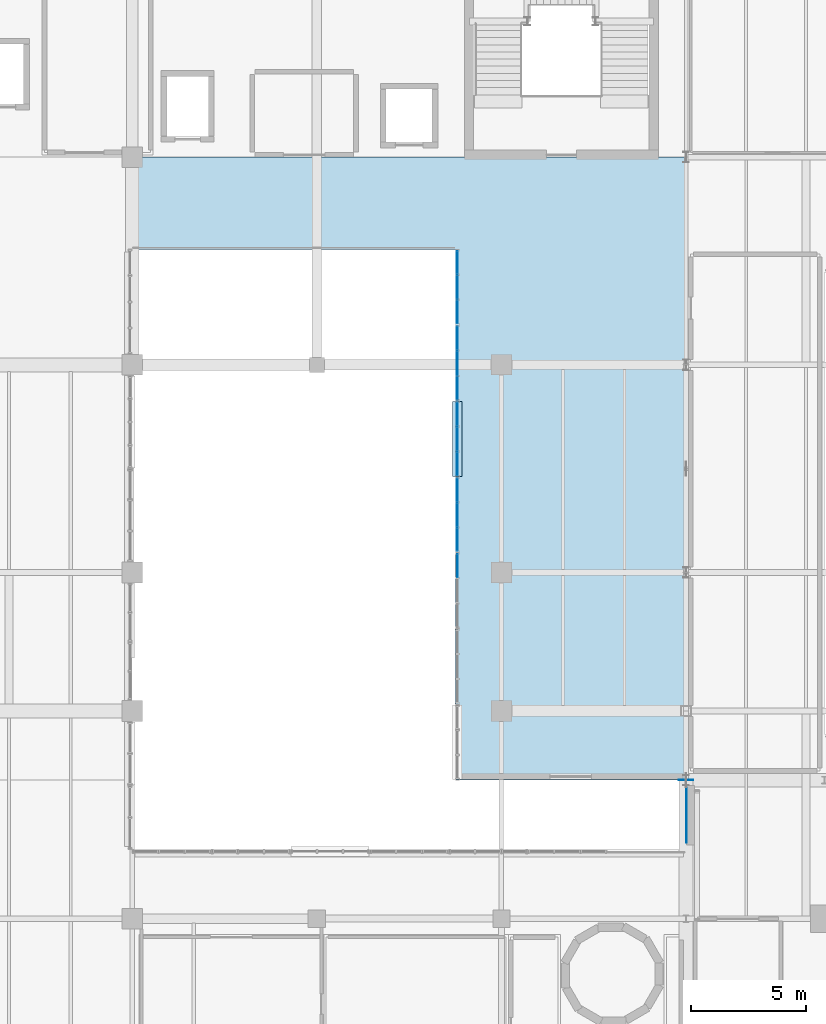
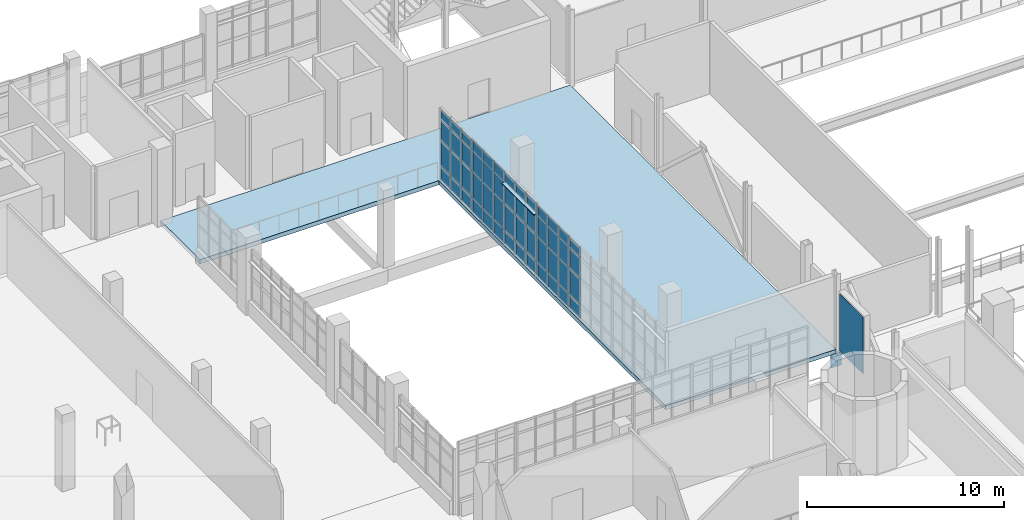
# One storey, part 70 of 102: 55 plates, 1 slab, 5 elements without a shape of their own.
"""IFC4 building model written with IfcOpenShell, lengths in metres."""

from ifc_helpers import new_model, si_unit, derived_unit, direction, frame, origin, origin_2d, place, context, subcontext, project, spatial, polyline, rectangle, outline, extrude, material, layer, layer_set, type_object, element, aggregate, save


model = new_model("IFC4")

# Units and contexts
model_context = context("Model", 3, precision=1e-05, world=origin(), true_north=direction((0.0, 1.0)))
body_context = subcontext(model_context, "Body", "Model", "MODEL_VIEW")
ifc_project = project(units=[si_unit("LENGTHUNIT", "METRE"), si_unit("AREAUNIT", "SQUARE_METRE"), si_unit("VOLUMEUNIT", "CUBIC_METRE"), si_unit("PLANEANGLEUNIT", "RADIAN"), si_unit("MASSUNIT", "GRAM", prefix="KILO"), derived_unit("THERMALTRANSMITTANCEUNIT", [(si_unit("POWERUNIT", "WATT"), 1), (si_unit("LENGTHUNIT", "METRE"), -2), (si_unit("THERMODYNAMICTEMPERATUREUNIT", "KELVIN"), -1)])], contexts=[model_context])

# Site, building, storey
site_placement = place(None, origin())
site = spatial("IfcSite", under=ifc_project, at=site_placement, CompositionType="ELEMENT")
building_placement = place(site_placement, origin())
building = spatial("IfcBuilding", under=site, at=building_placement, Name="Nallur Shell Playhouse", CompositionType="ELEMENT")
storey_placement = place(building_placement, frame((0.0, 0.0, 15.0)))
storey = spatial("IfcBuildingStorey", under=building, at=storey_placement, Name="L04", CompositionType="ELEMENT", Elevation=15.0)

# Plate
ifc_material_1 = material(Name="Steel E350", Category="steel")
ifc_layer_1 = layer(ifc_material_1, 0.02001953125)
ifc_layer_set_1 = layer_set([ifc_layer_1], Name="Steel E350")
plate_type_1 = type_object("IfcPlateType", Name="PT-ENDCAP-20", PredefinedType="SHEET", material=ifc_layer_set_1)
plate_1_placement = place(storey_placement, frame((64.0, 47.010009765625, -1.06982421875), z_axis=(0.0, 0.0, 1.0), x_axis=(1.0, 0.0, 0.0)))
element("IfcPlate", 1, at=plate_1_placement, inside=storey, type_object=plate_type_1, Name="Hollow end cap EC-GB-L04-WB", PredefinedType="SHEET", context=body_context, shape_type="SweptSolid", body=[
    extrude(rectangle(XDim=0.6201171875, YDim=0.02001953125, at=origin_2d()), origin(), (0.0, 0.0, 1.0), 0.820068359375),
])

# Curtain wall, plates
ifc_material_2 = material(Name="Anodised Aluminium Double-Glazed Facade System", Category="aluminium")
ifc_layer_2 = layer(ifc_material_2, 0.16796875)
ifc_layer_set_2 = layer_set([ifc_layer_2], Name="Anodised Aluminium Double-Glazed Facade System")
curtain_wall_type_1 = type_object("IfcCurtainWallType", Name="CW-UNIT-26", PredefinedType="NOTDEFINED", material=ifc_layer_set_2)
curtain_wall_1_placement = place(storey_placement, origin())
curtain_wall_1 = element("IfcCurtainWall", 2, at=curtain_wall_1_placement, inside=storey, type_object=curtain_wall_type_1, Name="Unitised curtain wall CW-154 (L04)", PredefinedType="NOTDEFINED")
ifc_material_3 = material(Name="Solar-Control Low-E Laminated Insulating Glass", Category="glass")
ifc_layer_3 = layer(ifc_material_3, 0.028076171875)
ifc_layer_set_3 = layer_set([ifc_layer_3], Name="Solar-Control Low-E Laminated Insulating Glass")
plate_type_2 = type_object("IfcPlateType", Name="PT-GLZ-02", PredefinedType="CURTAIN_PANEL", material=ifc_layer_set_3)
plate_2_placement = place(storey_placement, frame((54.090087890625, 56.289794921875, 0.092041015625), z_axis=(0.0, 0.0, 1.0), x_axis=(0.0, 1.0, 0.0)))
plate_2 = element("IfcPlate", 3, at=plate_2_placement, type_object=plate_type_2, Name="CW-26 panel 3.1", PredefinedType="CURTAIN_PANEL", context=body_context, shape_type="SweptSolid", body=[
    extrude(rectangle(XDim=1.010498046875, YDim=0.028076171875, at=origin_2d()), origin(), (0.0, 0.0, 1.0), 0.76611328125),
])
plate_3_placement = place(storey_placement, frame((54.090087890625, 56.289794921875, 0.94189453125), z_axis=(0.0, 0.0, 1.0), x_axis=(0.0, 1.0, 0.0)))
plate_3 = element("IfcPlate", 4, at=plate_3_placement, type_object=plate_type_2, Name="CW-26 panel 3.2", PredefinedType="CURTAIN_PANEL", context=body_context, shape_type="SweptSolid", body=[
    extrude(rectangle(XDim=1.010498046875, YDim=0.028076171875, at=origin_2d()), origin(), (0.0, 0.0, 1.0), 1.5419921875),
])
plate_4_placement = place(storey_placement, frame((54.090087890625, 56.289794921875, 2.56787109375), z_axis=(0.0, 0.0, 1.0), x_axis=(0.0, 1.0, 0.0)))
plate_4 = element("IfcPlate", 5, at=plate_4_placement, type_object=plate_type_2, Name="CW-26 panel 3.3", PredefinedType="CURTAIN_PANEL", context=body_context, shape_type="SweptSolid", body=[
    extrude(rectangle(XDim=1.010498046875, YDim=0.028076171875, at=origin_2d()), origin(), (0.0, 0.0, 1.0), 1.219970703125),
])
plate_5_placement = place(storey_placement, frame((54.090087890625, 56.289794921875, 3.8720703125), z_axis=(0.0, 0.0, 1.0), x_axis=(0.0, 1.0, 0.0)))
plate_5 = element("IfcPlate", 6, at=plate_5_placement, type_object=plate_type_2, Name="CW-26 panel 3.4", PredefinedType="CURTAIN_PANEL", context=body_context, shape_type="SweptSolid", body=[
    extrude(rectangle(XDim=1.010498046875, YDim=0.028076171875, at=origin_2d()), origin(), (0.0, 0.0, 1.0), 0.5458984375),
])
aggregate(curtain_wall_1, [plate_2, plate_3, plate_4, plate_5])

ifc_layer_4 = layer(ifc_material_2, 0.172119140625)
ifc_layer_set_4 = layer_set([ifc_layer_4], Name="Anodised Aluminium Double-Glazed Facade System")
curtain_wall_type_2 = type_object("IfcCurtainWallType", Name="CW-UNIT-27", PredefinedType="NOTDEFINED", material=ifc_layer_set_4)
curtain_wall_2_placement = place(storey_placement, origin())
curtain_wall_2 = element("IfcCurtainWall", 7, at=curtain_wall_2_placement, inside=storey, type_object=curtain_wall_type_2, Name="Unitised curtain wall CW-155 (L04)", PredefinedType="NOTDEFINED")
ifc_layer_5 = layer(ifc_material_3, 0.030029296875)
ifc_layer_set_5 = layer_set([ifc_layer_5], Name="Solar-Control Low-E Laminated Insulating Glass")
plate_type_3 = type_object("IfcPlateType", Name="PT-GLZ-03", PredefinedType="CURTAIN_PANEL", material=ifc_layer_set_5)
plate_6_placement = place(storey_placement, frame((54.090087890625, 57.427978515625, 0.05712890625), z_axis=(0.0, 0.0, 1.0), x_axis=(0.0, 1.0, 0.0)))
plate_6 = element("IfcPlate", 8, at=plate_6_placement, type_object=plate_type_3, Name="CW-27 panel 1.1", PredefinedType="CURTAIN_PANEL", context=body_context, shape_type="SweptSolid", body=[
    extrude(rectangle(XDim=0.988037109375, YDim=0.030029296875, at=origin_2d()), origin(), (0.0, 0.0, 1.0), 0.818603515625),
])
plate_7_placement = place(storey_placement, frame((54.090087890625, 57.427978515625, 0.924560546875), z_axis=(0.0, 0.0, 1.0), x_axis=(0.0, 1.0, 0.0)))
plate_7 = element("IfcPlate", 9, at=plate_7_placement, type_object=plate_type_3, Name="CW-27 panel 1.2", PredefinedType="CURTAIN_PANEL", context=body_context, shape_type="SweptSolid", body=[
    extrude(rectangle(XDim=0.988037109375, YDim=0.030029296875, at=origin_2d()), origin(), (0.0, 0.0, 1.0), 1.56494140625),
])
plate_8_placement = place(storey_placement, frame((54.090087890625, 57.427978515625, 2.53857421875), z_axis=(0.0, 0.0, 1.0), x_axis=(0.0, 1.0, 0.0)))
plate_8 = element("IfcPlate", 10, at=plate_8_placement, type_object=plate_type_3, Name="CW-27 panel 1.3", PredefinedType="CURTAIN_PANEL", context=body_context, shape_type="SweptSolid", body=[
    extrude(rectangle(XDim=0.988037109375, YDim=0.030029296875, at=origin_2d()), origin(), (0.0, 0.0, 1.0), 1.2470703125),
])
plate_9_placement = place(storey_placement, frame((54.090087890625, 57.427978515625, 3.83447265625), z_axis=(0.0, 0.0, 1.0), x_axis=(0.0, 1.0, 0.0)))
plate_9 = element("IfcPlate", 11, at=plate_9_placement, type_object=plate_type_3, Name="CW-27 panel 1.4", PredefinedType="CURTAIN_PANEL", context=body_context, shape_type="SweptSolid", body=[
    extrude(rectangle(XDim=0.988037109375, YDim=0.030029296875, at=origin_2d()), origin(), (0.0, 0.0, 1.0), 0.598388671875),
])
plate_10_placement = place(storey_placement, frame((54.090087890625, 58.5, 0.05712890625), z_axis=(0.0, 0.0, 1.0), x_axis=(0.0, 1.0, 0.0)))
plate_10 = element("IfcPlate", 12, at=plate_10_placement, type_object=plate_type_3, Name="CW-27 panel 2.1", PredefinedType="CURTAIN_PANEL", context=body_context, shape_type="SweptSolid", body=[
    extrude(rectangle(XDim=1.02783203125, YDim=0.030029296875, at=origin_2d()), origin(), (0.0, 0.0, 1.0), 0.818603515625),
])
plate_11_placement = place(storey_placement, frame((54.090087890625, 58.5, 0.924560546875), z_axis=(0.0, 0.0, 1.0), x_axis=(0.0, 1.0, 0.0)))
plate_11 = element("IfcPlate", 13, at=plate_11_placement, type_object=plate_type_3, Name="CW-27 panel 2.2", PredefinedType="CURTAIN_PANEL", context=body_context, shape_type="SweptSolid", body=[
    extrude(rectangle(XDim=1.02783203125, YDim=0.030029296875, at=origin_2d()), origin(), (0.0, 0.0, 1.0), 1.56494140625),
])
plate_12_placement = place(storey_placement, frame((54.090087890625, 58.5, 2.53857421875), z_axis=(0.0, 0.0, 1.0), x_axis=(0.0, 1.0, 0.0)))
plate_12 = element("IfcPlate", 14, at=plate_12_placement, type_object=plate_type_3, Name="CW-27 panel 2.3", PredefinedType="CURTAIN_PANEL", context=body_context, shape_type="SweptSolid", body=[
    extrude(rectangle(XDim=1.02783203125, YDim=0.030029296875, at=origin_2d()), origin(), (0.0, 0.0, 1.0), 1.2470703125),
])
plate_13_placement = place(storey_placement, frame((54.090087890625, 58.5, 3.83447265625), z_axis=(0.0, 0.0, 1.0), x_axis=(0.0, 1.0, 0.0)))
plate_13 = element("IfcPlate", 15, at=plate_13_placement, type_object=plate_type_3, Name="CW-27 panel 2.4", PredefinedType="CURTAIN_PANEL", context=body_context, shape_type="SweptSolid", body=[
    extrude(rectangle(XDim=1.02783203125, YDim=0.030029296875, at=origin_2d()), origin(), (0.0, 0.0, 1.0), 0.598388671875),
])
plate_14_placement = place(storey_placement, frame((54.090087890625, 59.572021484375, 0.05712890625), z_axis=(0.0, 0.0, 1.0), x_axis=(0.0, 1.0, 0.0)))
plate_14 = element("IfcPlate", 16, at=plate_14_placement, type_object=plate_type_3, Name="CW-27 panel 3.1", PredefinedType="CURTAIN_PANEL", context=body_context, shape_type="SweptSolid", body=[
    extrude(rectangle(XDim=0.988037109375, YDim=0.030029296875, at=origin_2d()), origin(), (0.0, 0.0, 1.0), 0.818603515625),
])
plate_15_placement = place(storey_placement, frame((54.090087890625, 59.572021484375, 0.924560546875), z_axis=(0.0, 0.0, 1.0), x_axis=(0.0, 1.0, 0.0)))
plate_15 = element("IfcPlate", 17, at=plate_15_placement, type_object=plate_type_3, Name="CW-27 panel 3.2", PredefinedType="CURTAIN_PANEL", context=body_context, shape_type="SweptSolid", body=[
    extrude(rectangle(XDim=0.988037109375, YDim=0.030029296875, at=origin_2d()), origin(), (0.0, 0.0, 1.0), 1.56494140625),
])
plate_16_placement = place(storey_placement, frame((54.090087890625, 59.572021484375, 2.53857421875), z_axis=(0.0, 0.0, 1.0), x_axis=(0.0, 1.0, 0.0)))
plate_16 = element("IfcPlate", 18, at=plate_16_placement, type_object=plate_type_3, Name="CW-27 panel 3.3", PredefinedType="CURTAIN_PANEL", context=body_context, shape_type="SweptSolid", body=[
    extrude(rectangle(XDim=0.988037109375, YDim=0.030029296875, at=origin_2d()), origin(), (0.0, 0.0, 1.0), 1.2470703125),
])
plate_17_placement = place(storey_placement, frame((54.090087890625, 59.572021484375, 3.83447265625), z_axis=(0.0, 0.0, 1.0), x_axis=(0.0, 1.0, 0.0)))
plate_17 = element("IfcPlate", 19, at=plate_17_placement, type_object=plate_type_3, Name="CW-27 panel 3.4", PredefinedType="CURTAIN_PANEL", context=body_context, shape_type="SweptSolid", body=[
    extrude(rectangle(XDim=0.988037109375, YDim=0.030029296875, at=origin_2d()), origin(), (0.0, 0.0, 1.0), 0.598388671875),
])
aggregate(curtain_wall_2, [plate_6, plate_7, plate_8, plate_9, plate_10, plate_11, plate_12, plate_13, plate_14, plate_15, plate_16, plate_17])

ifc_layer_6 = layer(ifc_material_2, 0.176025390625)
ifc_layer_set_6 = layer_set([ifc_layer_6], Name="Anodised Aluminium Double-Glazed Facade System")
curtain_wall_type_3 = type_object("IfcCurtainWallType", Name="CW-UNIT-28", PredefinedType="NOTDEFINED", material=ifc_layer_set_6)
curtain_wall_3_placement = place(storey_placement, origin())
curtain_wall_3 = element("IfcCurtainWall", 20, at=curtain_wall_3_placement, inside=storey, type_object=curtain_wall_type_3, Name="Unitised curtain wall CW-156 (L04)", PredefinedType="NOTDEFINED")
ifc_layer_7 = layer(ifc_material_3, 0.031982421875)
ifc_layer_set_7 = layer_set([ifc_layer_7], Name="Solar-Control Low-E Laminated Insulating Glass")
plate_type_4 = type_object("IfcPlateType", Name="PT-GLZ-04", PredefinedType="CURTAIN_PANEL", material=ifc_layer_set_7)
plate_18_placement = place(storey_placement, frame((54.090087890625, 60.712646484375, 0.092041015625), z_axis=(0.0, 0.0, 1.0), x_axis=(0.0, 1.0, 0.0)))
plate_18 = element("IfcPlate", 21, at=plate_18_placement, type_object=plate_type_4, Name="CW-28 panel 1.1", PredefinedType="CURTAIN_PANEL", context=body_context, shape_type="SweptSolid", body=[
    extrude(rectangle(XDim=0.995361328125, YDim=0.031982421875, at=origin_2d()), origin(), (0.0, 0.0, 1.0), 0.76611328125),
])
plate_19_placement = place(storey_placement, frame((54.090087890625, 60.712646484375, 0.942138671875), z_axis=(0.0, 0.0, 1.0), x_axis=(0.0, 1.0, 0.0)))
plate_19 = element("IfcPlate", 22, at=plate_19_placement, type_object=plate_type_4, Name="CW-28 panel 1.2", PredefinedType="CURTAIN_PANEL", context=body_context, shape_type="SweptSolid", body=[
    extrude(rectangle(XDim=0.995361328125, YDim=0.031982421875, at=origin_2d()), origin(), (0.0, 0.0, 1.0), 1.56396484375),
])
plate_20_placement = place(storey_placement, frame((54.090087890625, 60.712646484375, 2.58984375), z_axis=(0.0, 0.0, 1.0), x_axis=(0.0, 1.0, 0.0)))
plate_20 = element("IfcPlate", 23, at=plate_20_placement, type_object=plate_type_4, Name="CW-28 panel 1.3", PredefinedType="CURTAIN_PANEL", context=body_context, shape_type="SweptSolid", body=[
    extrude(rectangle(XDim=0.995361328125, YDim=0.031982421875, at=origin_2d()), origin(), (0.0, 0.0, 1.0), 1.238037109375),
])
plate_21_placement = place(storey_placement, frame((54.090087890625, 60.712646484375, 3.912109375), z_axis=(0.0, 0.0, 1.0), x_axis=(0.0, 1.0, 0.0)))
plate_21 = element("IfcPlate", 24, at=plate_21_placement, type_object=plate_type_4, Name="CW-28 panel 1.4", PredefinedType="CURTAIN_PANEL", context=body_context, shape_type="SweptSolid", body=[
    extrude(rectangle(XDim=0.995361328125, YDim=0.031982421875, at=origin_2d()), origin(), (0.0, 0.0, 1.0), 0.5458984375),
])
plate_22_placement = place(storey_placement, frame((54.090087890625, 61.78564453125, 0.092041015625), z_axis=(0.0, 0.0, 1.0), x_axis=(0.0, 1.0, 0.0)))
plate_22 = element("IfcPlate", 25, at=plate_22_placement, type_object=plate_type_4, Name="CW-28 panel 2.1", PredefinedType="CURTAIN_PANEL", context=body_context, shape_type="SweptSolid", body=[
    extrude(rectangle(XDim=1.032958984375, YDim=0.031982421875, at=origin_2d()), origin(), (0.0, 0.0, 1.0), 0.76611328125),
])
plate_23_placement = place(storey_placement, frame((54.090087890625, 61.78564453125, 0.942138671875), z_axis=(0.0, 0.0, 1.0), x_axis=(0.0, 1.0, 0.0)))
plate_23 = element("IfcPlate", 26, at=plate_23_placement, type_object=plate_type_4, Name="CW-28 panel 2.2", PredefinedType="CURTAIN_PANEL", context=body_context, shape_type="SweptSolid", body=[
    extrude(rectangle(XDim=1.032958984375, YDim=0.031982421875, at=origin_2d()), origin(), (0.0, 0.0, 1.0), 1.56396484375),
])
plate_24_placement = place(storey_placement, frame((54.090087890625, 61.78564453125, 2.58984375), z_axis=(0.0, 0.0, 1.0), x_axis=(0.0, 1.0, 0.0)))
plate_24 = element("IfcPlate", 27, at=plate_24_placement, type_object=plate_type_4, Name="CW-28 panel 2.3", PredefinedType="CURTAIN_PANEL", context=body_context, shape_type="SweptSolid", body=[
    extrude(rectangle(XDim=1.032958984375, YDim=0.031982421875, at=origin_2d()), origin(), (0.0, 0.0, 1.0), 1.238037109375),
])
plate_25_placement = place(storey_placement, frame((54.090087890625, 61.78564453125, 3.912109375), z_axis=(0.0, 0.0, 1.0), x_axis=(0.0, 1.0, 0.0)))
plate_25 = element("IfcPlate", 28, at=plate_25_placement, type_object=plate_type_4, Name="CW-28 panel 2.4", PredefinedType="CURTAIN_PANEL", context=body_context, shape_type="SweptSolid", body=[
    extrude(rectangle(XDim=1.032958984375, YDim=0.031982421875, at=origin_2d()), origin(), (0.0, 0.0, 1.0), 0.5458984375),
])
plate_26_placement = place(storey_placement, frame((54.090087890625, 62.85888671875, 0.092041015625), z_axis=(0.0, 0.0, 1.0), x_axis=(0.0, 1.0, 0.0)))
plate_26 = element("IfcPlate", 29, at=plate_26_placement, type_object=plate_type_4, Name="CW-28 panel 3.1", PredefinedType="CURTAIN_PANEL", context=body_context, shape_type="SweptSolid", body=[
    extrude(rectangle(XDim=0.995361328125, YDim=0.031982421875, at=origin_2d()), origin(), (0.0, 0.0, 1.0), 0.76611328125),
])
plate_27_placement = place(storey_placement, frame((54.090087890625, 62.85888671875, 0.942138671875), z_axis=(0.0, 0.0, 1.0), x_axis=(0.0, 1.0, 0.0)))
plate_27 = element("IfcPlate", 30, at=plate_27_placement, type_object=plate_type_4, Name="CW-28 panel 3.2", PredefinedType="CURTAIN_PANEL", context=body_context, shape_type="SweptSolid", body=[
    extrude(rectangle(XDim=0.995361328125, YDim=0.031982421875, at=origin_2d()), origin(), (0.0, 0.0, 1.0), 1.56396484375),
])
plate_28_placement = place(storey_placement, frame((54.090087890625, 62.85888671875, 2.58984375), z_axis=(0.0, 0.0, 1.0), x_axis=(0.0, 1.0, 0.0)))
plate_28 = element("IfcPlate", 31, at=plate_28_placement, type_object=plate_type_4, Name="CW-28 panel 3.3", PredefinedType="CURTAIN_PANEL", context=body_context, shape_type="SweptSolid", body=[
    extrude(rectangle(XDim=0.995361328125, YDim=0.031982421875, at=origin_2d()), origin(), (0.0, 0.0, 1.0), 1.238037109375),
])
plate_29_placement = place(storey_placement, frame((54.090087890625, 62.85888671875, 3.912109375), z_axis=(0.0, 0.0, 1.0), x_axis=(0.0, 1.0, 0.0)))
plate_29 = element("IfcPlate", 32, at=plate_29_placement, type_object=plate_type_4, Name="CW-28 panel 3.4", PredefinedType="CURTAIN_PANEL", context=body_context, shape_type="SweptSolid", body=[
    extrude(rectangle(XDim=0.995361328125, YDim=0.031982421875, at=origin_2d()), origin(), (0.0, 0.0, 1.0), 0.5458984375),
])
aggregate(curtain_wall_3, [plate_18, plate_19, plate_20, plate_21, plate_22, plate_23, plate_24, plate_25, plate_26, plate_27, plate_28, plate_29])

ifc_layer_8 = layer(ifc_material_2, 0.179931640625)
ifc_layer_set_8 = layer_set([ifc_layer_8], Name="Anodised Aluminium Double-Glazed Facade System")
curtain_wall_type_4 = type_object("IfcCurtainWallType", Name="CW-UNIT-29", PredefinedType="NOTDEFINED", material=ifc_layer_set_8)
curtain_wall_4_placement = place(storey_placement, origin())
curtain_wall_4 = element("IfcCurtainWall", 33, at=curtain_wall_4_placement, inside=storey, type_object=curtain_wall_type_4, Name="Unitised curtain wall CW-157 (L04)", PredefinedType="NOTDEFINED")
ifc_layer_9 = layer(ifc_material_3, 0.033935546875)
ifc_layer_set_9 = layer_set([ifc_layer_9], Name="Solar-Control Low-E Laminated Insulating Glass")
plate_type_5 = type_object("IfcPlateType", Name="PT-GLZ-05", PredefinedType="CURTAIN_PANEL", material=ifc_layer_set_9)
plate_30_placement = place(storey_placement, frame((54.090087890625, 63.995849609375, 0.05712890625), z_axis=(0.0, 0.0, 1.0), x_axis=(0.0, 1.0, 0.0)))
plate_30 = element("IfcPlate", 34, at=plate_30_placement, type_object=plate_type_5, Name="CW-29 panel 1.1", PredefinedType="CURTAIN_PANEL", context=body_context, shape_type="SweptSolid", body=[
    extrude(rectangle(XDim=1.010498046875, YDim=0.033935546875, at=origin_2d()), origin(), (0.0, 0.0, 1.0), 0.818603515625),
])
plate_31_placement = place(storey_placement, frame((54.090087890625, 63.995849609375, 0.924560546875), z_axis=(0.0, 0.0, 1.0), x_axis=(0.0, 1.0, 0.0)))
plate_31 = element("IfcPlate", 35, at=plate_31_placement, type_object=plate_type_5, Name="CW-29 panel 1.2", PredefinedType="CURTAIN_PANEL", context=body_context, shape_type="SweptSolid", body=[
    extrude(rectangle(XDim=1.010498046875, YDim=0.033935546875, at=origin_2d()), origin(), (0.0, 0.0, 1.0), 1.587890625),
])
plate_32_placement = place(storey_placement, frame((54.090087890625, 63.995849609375, 2.5615234375), z_axis=(0.0, 0.0, 1.0), x_axis=(0.0, 1.0, 0.0)))
plate_32 = element("IfcPlate", 36, at=plate_32_placement, type_object=plate_type_5, Name="CW-29 panel 1.3", PredefinedType="CURTAIN_PANEL", context=body_context, shape_type="SweptSolid", body=[
    extrude(rectangle(XDim=1.010498046875, YDim=0.033935546875, at=origin_2d()), origin(), (0.0, 0.0, 1.0), 1.263916015625),
])
plate_33_placement = place(storey_placement, frame((54.090087890625, 63.995849609375, 3.87451171875), z_axis=(0.0, 0.0, 1.0), x_axis=(0.0, 1.0, 0.0)))
plate_33 = element("IfcPlate", 37, at=plate_33_placement, type_object=plate_type_5, Name="CW-29 panel 1.4", PredefinedType="CURTAIN_PANEL", context=body_context, shape_type="SweptSolid", body=[
    extrude(rectangle(XDim=1.010498046875, YDim=0.033935546875, at=origin_2d()), origin(), (0.0, 0.0, 1.0), 0.598388671875),
])
plate_34_placement = place(storey_placement, frame((54.090087890625, 65.071533203125, 0.05712890625), z_axis=(0.0, 0.0, 1.0), x_axis=(0.0, 1.0, 0.0)))
plate_34 = element("IfcPlate", 38, at=plate_34_placement, type_object=plate_type_5, Name="CW-29 panel 2.1", PredefinedType="CURTAIN_PANEL", context=body_context, shape_type="SweptSolid", body=[
    extrude(rectangle(XDim=1.04296875, YDim=0.033935546875, at=origin_2d()), origin(), (0.0, 0.0, 1.0), 0.818603515625),
])
plate_35_placement = place(storey_placement, frame((54.090087890625, 65.071533203125, 0.924560546875), z_axis=(0.0, 0.0, 1.0), x_axis=(0.0, 1.0, 0.0)))
plate_35 = element("IfcPlate", 39, at=plate_35_placement, type_object=plate_type_5, Name="CW-29 panel 2.2", PredefinedType="CURTAIN_PANEL", context=body_context, shape_type="SweptSolid", body=[
    extrude(rectangle(XDim=1.04296875, YDim=0.033935546875, at=origin_2d()), origin(), (0.0, 0.0, 1.0), 1.587890625),
])
plate_36_placement = place(storey_placement, frame((54.090087890625, 65.071533203125, 2.5615234375), z_axis=(0.0, 0.0, 1.0), x_axis=(0.0, 1.0, 0.0)))
plate_36 = element("IfcPlate", 40, at=plate_36_placement, type_object=plate_type_5, Name="CW-29 panel 2.3", PredefinedType="CURTAIN_PANEL", context=body_context, shape_type="SweptSolid", body=[
    extrude(rectangle(XDim=1.04296875, YDim=0.033935546875, at=origin_2d()), origin(), (0.0, 0.0, 1.0), 1.263916015625),
])
plate_37_placement = place(storey_placement, frame((54.090087890625, 65.071533203125, 3.87451171875), z_axis=(0.0, 0.0, 1.0), x_axis=(0.0, 1.0, 0.0)))
plate_37 = element("IfcPlate", 41, at=plate_37_placement, type_object=plate_type_5, Name="CW-29 panel 2.4", PredefinedType="CURTAIN_PANEL", context=body_context, shape_type="SweptSolid", body=[
    extrude(rectangle(XDim=1.04296875, YDim=0.033935546875, at=origin_2d()), origin(), (0.0, 0.0, 1.0), 0.598388671875),
])
plate_38_placement = place(storey_placement, frame((54.090087890625, 66.147216796875, 0.05712890625), z_axis=(0.0, 0.0, 1.0), x_axis=(0.0, 1.0, 0.0)))
plate_38 = element("IfcPlate", 42, at=plate_38_placement, type_object=plate_type_5, Name="CW-29 panel 3.1", PredefinedType="CURTAIN_PANEL", context=body_context, shape_type="SweptSolid", body=[
    extrude(rectangle(XDim=1.010498046875, YDim=0.033935546875, at=origin_2d()), origin(), (0.0, 0.0, 1.0), 0.818603515625),
])
plate_39_placement = place(storey_placement, frame((54.090087890625, 66.147216796875, 0.924560546875), z_axis=(0.0, 0.0, 1.0), x_axis=(0.0, 1.0, 0.0)))
plate_39 = element("IfcPlate", 43, at=plate_39_placement, type_object=plate_type_5, Name="CW-29 panel 3.2", PredefinedType="CURTAIN_PANEL", context=body_context, shape_type="SweptSolid", body=[
    extrude(rectangle(XDim=1.010498046875, YDim=0.033935546875, at=origin_2d()), origin(), (0.0, 0.0, 1.0), 1.587890625),
])
plate_40_placement = place(storey_placement, frame((54.090087890625, 66.147216796875, 2.5615234375), z_axis=(0.0, 0.0, 1.0), x_axis=(0.0, 1.0, 0.0)))
plate_40 = element("IfcPlate", 44, at=plate_40_placement, type_object=plate_type_5, Name="CW-29 panel 3.3", PredefinedType="CURTAIN_PANEL", context=body_context, shape_type="SweptSolid", body=[
    extrude(rectangle(XDim=1.010498046875, YDim=0.033935546875, at=origin_2d()), origin(), (0.0, 0.0, 1.0), 1.263916015625),
])
plate_41_placement = place(storey_placement, frame((54.090087890625, 66.147216796875, 3.87451171875), z_axis=(0.0, 0.0, 1.0), x_axis=(0.0, 1.0, 0.0)))
plate_41 = element("IfcPlate", 45, at=plate_41_placement, type_object=plate_type_5, Name="CW-29 panel 3.4", PredefinedType="CURTAIN_PANEL", context=body_context, shape_type="SweptSolid", body=[
    extrude(rectangle(XDim=1.010498046875, YDim=0.033935546875, at=origin_2d()), origin(), (0.0, 0.0, 1.0), 0.598388671875),
])
aggregate(curtain_wall_4, [plate_30, plate_31, plate_32, plate_33, plate_34, plate_35, plate_36, plate_37, plate_38, plate_39, plate_40, plate_41])

ifc_layer_10 = layer(ifc_material_2, 0.159912109375)
ifc_layer_set_10 = layer_set([ifc_layer_10], Name="Anodised Aluminium Double-Glazed Facade System")
curtain_wall_type_5 = type_object("IfcCurtainWallType", Name="CW-UNIT-30", PredefinedType="NOTDEFINED", material=ifc_layer_set_10)
curtain_wall_5_placement = place(storey_placement, origin())
curtain_wall_5 = element("IfcCurtainWall", 46, at=curtain_wall_5_placement, inside=storey, type_object=curtain_wall_type_5, Name="Unitised curtain wall CW-158 (L04)", PredefinedType="NOTDEFINED")
ifc_layer_11 = layer(ifc_material_3, 0.035888671875)
ifc_layer_set_11 = layer_set([ifc_layer_11], Name="Solar-Control Low-E Laminated Insulating Glass")
plate_type_6 = type_object("IfcPlateType", Name="PT-GLZ-06", PredefinedType="CURTAIN_PANEL", material=ifc_layer_set_11)
plate_42_placement = place(storey_placement, frame((54.090087890625, 67.2861328125, 0.092041015625), z_axis=(0.0, 0.0, 1.0), x_axis=(0.0, 1.0, 0.0)))
plate_42 = element("IfcPlate", 47, at=plate_42_placement, type_object=plate_type_6, Name="CW-30 panel 1.1", PredefinedType="CURTAIN_PANEL", context=body_context, shape_type="SweptSolid", body=[
    extrude(rectangle(XDim=0.989501953125, YDim=0.035888671875, at=origin_2d()), origin(), (0.0, 0.0, 1.0), 0.76611328125),
])
plate_43_placement = place(storey_placement, frame((54.090087890625, 67.2861328125, 0.94189453125), z_axis=(0.0, 0.0, 1.0), x_axis=(0.0, 1.0, 0.0)))
plate_43 = element("IfcPlate", 48, at=plate_43_placement, type_object=plate_type_6, Name="CW-30 panel 1.2", PredefinedType="CURTAIN_PANEL", context=body_context, shape_type="SweptSolid", body=[
    extrude(rectangle(XDim=0.989501953125, YDim=0.035888671875, at=origin_2d()), origin(), (0.0, 0.0, 1.0), 1.5419921875),
])
plate_44_placement = place(storey_placement, frame((54.090087890625, 67.2861328125, 2.56787109375), z_axis=(0.0, 0.0, 1.0), x_axis=(0.0, 1.0, 0.0)))
plate_44 = element("IfcPlate", 49, at=plate_44_placement, type_object=plate_type_6, Name="CW-30 panel 1.3", PredefinedType="CURTAIN_PANEL", context=body_context, shape_type="SweptSolid", body=[
    extrude(rectangle(XDim=0.989501953125, YDim=0.035888671875, at=origin_2d()), origin(), (0.0, 0.0, 1.0), 1.219970703125),
])
plate_45_placement = place(storey_placement, frame((54.090087890625, 67.2861328125, 3.8720703125), z_axis=(0.0, 0.0, 1.0), x_axis=(0.0, 1.0, 0.0)))
plate_45 = element("IfcPlate", 50, at=plate_45_placement, type_object=plate_type_6, Name="CW-30 panel 1.4", PredefinedType="CURTAIN_PANEL", context=body_context, shape_type="SweptSolid", body=[
    extrude(rectangle(XDim=0.989501953125, YDim=0.035888671875, at=origin_2d()), origin(), (0.0, 0.0, 1.0), 0.5458984375),
])
plate_46_placement = place(storey_placement, frame((54.090087890625, 68.359619140625, 0.092041015625), z_axis=(0.0, 0.0, 1.0), x_axis=(0.0, 1.0, 0.0)))
plate_46 = element("IfcPlate", 51, at=plate_46_placement, type_object=plate_type_6, Name="CW-30 panel 2.1", PredefinedType="CURTAIN_PANEL", context=body_context, shape_type="SweptSolid", body=[
    extrude(rectangle(XDim=1.029541015625, YDim=0.035888671875, at=origin_2d()), origin(), (0.0, 0.0, 1.0), 0.76611328125),
])
plate_47_placement = place(storey_placement, frame((54.090087890625, 68.359619140625, 0.94189453125), z_axis=(0.0, 0.0, 1.0), x_axis=(0.0, 1.0, 0.0)))
plate_47 = element("IfcPlate", 52, at=plate_47_placement, type_object=plate_type_6, Name="CW-30 panel 2.2", PredefinedType="CURTAIN_PANEL", context=body_context, shape_type="SweptSolid", body=[
    extrude(rectangle(XDim=1.029541015625, YDim=0.035888671875, at=origin_2d()), origin(), (0.0, 0.0, 1.0), 1.5419921875),
])
plate_48_placement = place(storey_placement, frame((54.090087890625, 68.359619140625, 2.56787109375), z_axis=(0.0, 0.0, 1.0), x_axis=(0.0, 1.0, 0.0)))
plate_48 = element("IfcPlate", 53, at=plate_48_placement, type_object=plate_type_6, Name="CW-30 panel 2.3", PredefinedType="CURTAIN_PANEL", context=body_context, shape_type="SweptSolid", body=[
    extrude(rectangle(XDim=1.029541015625, YDim=0.035888671875, at=origin_2d()), origin(), (0.0, 0.0, 1.0), 1.219970703125),
])
plate_49_placement = place(storey_placement, frame((54.090087890625, 68.359619140625, 3.8720703125), z_axis=(0.0, 0.0, 1.0), x_axis=(0.0, 1.0, 0.0)))
plate_49 = element("IfcPlate", 54, at=plate_49_placement, type_object=plate_type_6, Name="CW-30 panel 2.4", PredefinedType="CURTAIN_PANEL", context=body_context, shape_type="SweptSolid", body=[
    extrude(rectangle(XDim=1.029541015625, YDim=0.035888671875, at=origin_2d()), origin(), (0.0, 0.0, 1.0), 0.5458984375),
])
plate_50_placement = place(storey_placement, frame((54.090087890625, 69.43310546875, 0.092041015625), z_axis=(0.0, 0.0, 1.0), x_axis=(0.0, 1.0, 0.0)))
plate_50 = element("IfcPlate", 55, at=plate_50_placement, type_object=plate_type_6, Name="CW-30 panel 3.1", PredefinedType="CURTAIN_PANEL", context=body_context, shape_type="SweptSolid", body=[
    extrude(rectangle(XDim=0.989501953125, YDim=0.035888671875, at=origin_2d()), origin(), (0.0, 0.0, 1.0), 0.76611328125),
])
plate_51_placement = place(storey_placement, frame((54.090087890625, 69.43310546875, 0.94189453125), z_axis=(0.0, 0.0, 1.0), x_axis=(0.0, 1.0, 0.0)))
plate_51 = element("IfcPlate", 56, at=plate_51_placement, type_object=plate_type_6, Name="CW-30 panel 3.2", PredefinedType="CURTAIN_PANEL", context=body_context, shape_type="SweptSolid", body=[
    extrude(rectangle(XDim=0.989501953125, YDim=0.035888671875, at=origin_2d()), origin(), (0.0, 0.0, 1.0), 1.5419921875),
])
plate_52_placement = place(storey_placement, frame((54.090087890625, 69.43310546875, 2.56787109375), z_axis=(0.0, 0.0, 1.0), x_axis=(0.0, 1.0, 0.0)))
plate_52 = element("IfcPlate", 57, at=plate_52_placement, type_object=plate_type_6, Name="CW-30 panel 3.3", PredefinedType="CURTAIN_PANEL", context=body_context, shape_type="SweptSolid", body=[
    extrude(rectangle(XDim=0.989501953125, YDim=0.035888671875, at=origin_2d()), origin(), (0.0, 0.0, 1.0), 1.219970703125),
])
plate_53_placement = place(storey_placement, frame((54.090087890625, 69.43310546875, 3.8720703125), z_axis=(0.0, 0.0, 1.0), x_axis=(0.0, 1.0, 0.0)))
plate_53 = element("IfcPlate", 58, at=plate_53_placement, type_object=plate_type_6, Name="CW-30 panel 3.4", PredefinedType="CURTAIN_PANEL", context=body_context, shape_type="SweptSolid", body=[
    extrude(rectangle(XDim=0.989501953125, YDim=0.035888671875, at=origin_2d()), origin(), (0.0, 0.0, 1.0), 0.5458984375),
])
aggregate(curtain_wall_5, [plate_42, plate_43, plate_44, plate_45, plate_46, plate_47, plate_48, plate_49, plate_50, plate_51, plate_52, plate_53])

# Plates
ifc_material_4 = material(Name="Gold-Anodised Perforated Aluminium Acoustic Cladding", Category="aluminium")
ifc_layer_12 = layer(ifc_material_4, 0.006103515625)
ifc_layer_set_12 = layer_set([ifc_layer_12], Name="Gold-Anodised Perforated Aluminium Acoustic Cladding")
plate_type_7 = type_object("IfcPlateType", Name="PT-GOLD-01", PredefinedType="SHEET", material=ifc_layer_set_12)
plate_54_placement = place(storey_placement, frame((64.02197265625, 45.47607421875, 0.10009765625), z_axis=(0.0, 0.0, 1.0), x_axis=(0.0, 1.0, 0.0)))
element("IfcPlate", 59, at=plate_54_placement, inside=storey, type_object=plate_type_7, Name="Gold-anodised perforated aluminium cladding GC-013", PredefinedType="SHEET", context=body_context, shape_type="SweptSolid", body=[
    extrude(rectangle(XDim=2.382080078125, YDim=0.013916015625, at=origin_2d()), origin(), (0.0, 0.0, 1.0), 3.534912109375),
])
ifc_material_5 = material(Name="Terracotta & Gold-Anodised Monsoon Sunshade Blade", Category="masonry")
ifc_layer_13 = layer(ifc_material_5, 0.054931640625)
ifc_layer_set_13 = layer_set([ifc_layer_13], Name="Terracotta & Gold-Anodised Monsoon Sunshade Blade")
plate_type_8 = type_object("IfcPlateType", Name="PT-LOUVRE-03", PredefinedType="USERDEFINED", material=ifc_layer_set_13)
plate_55_placement = place(storey_placement, frame((54.090087890625, 61.785888671875, 3.8427734375), z_axis=(0.0, 0.0, 1.0), x_axis=(0.0, 1.0, 0.0)))
element("IfcPlate", 60, at=plate_55_placement, inside=storey, type_object=plate_type_8, Name="Monsoon sunshade louvre blade LV-039", ObjectType="SUNSHADE LOUVRE", PredefinedType="USERDEFINED", context=body_context, shape_type="SweptSolid", body=[
    extrude(rectangle(XDim=3.236083984375, YDim=0.419921875, at=origin_2d()), origin(), (0.0, 0.0, 1.0), 0.054931640625),
])

# Slab
ifc_material_6 = material(Name="Concrete M30", Category="concrete")
ifc_layer_14 = layer(ifc_material_6, 0.260009765625)
ifc_layer_set_14 = layer_set([ifc_layer_14], Name="Concrete M30")
slab_type = type_object("IfcSlabType", Name="SL-FLOOR-260", PredefinedType="FLOOR", material=ifc_layer_set_14)
slab_placement = place(storey_placement, frame((0.0, 0.0, -0.260009765625)))
element("IfcSlab", 61, at=slab_placement, inside=storey, type_object=slab_type, Name="L04 structural floor slab panel 07", PredefinedType="FLOOR", context=body_context, shape_type="SweptSolid", body=[
    extrude(outline(polyline([(54.0, 70.0), (40.0, 70.0), (40.0, 74.0), (64.0, 74.0), (64.0, 47.0), (54.0, 47.0), (54.0, 70.0)])), origin(), (0.0, 0.0, 1.0), 0.260009765625),
])

save(model, "model.ifc")
